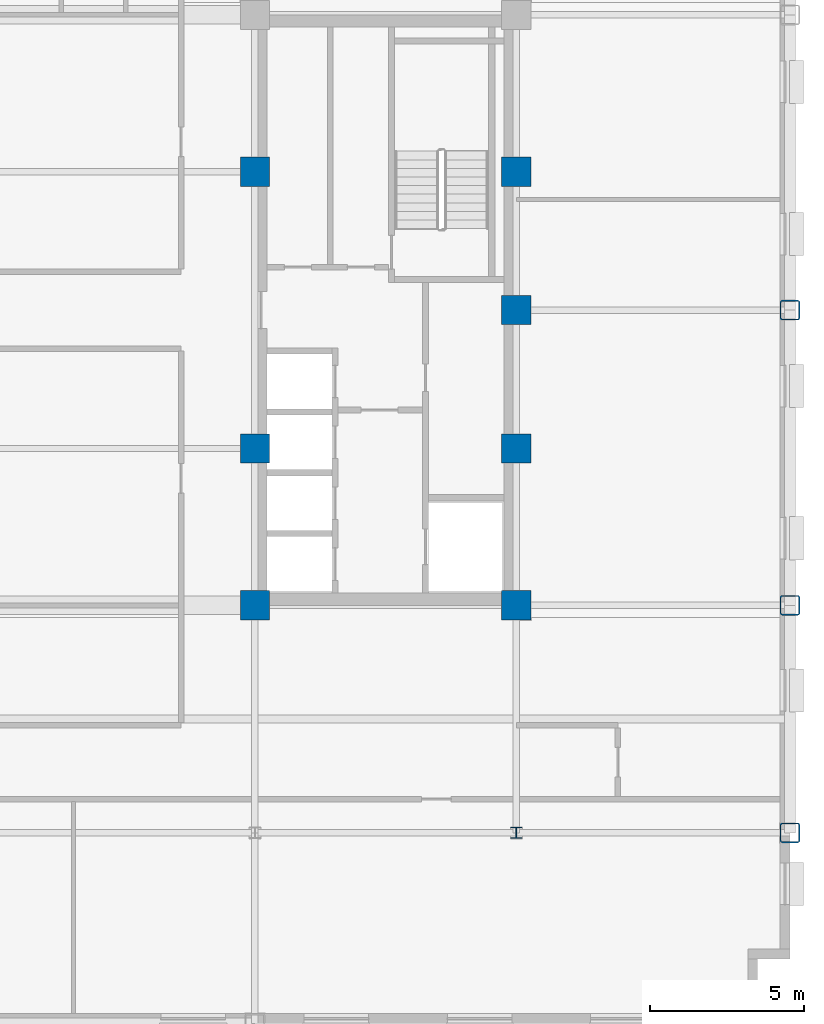
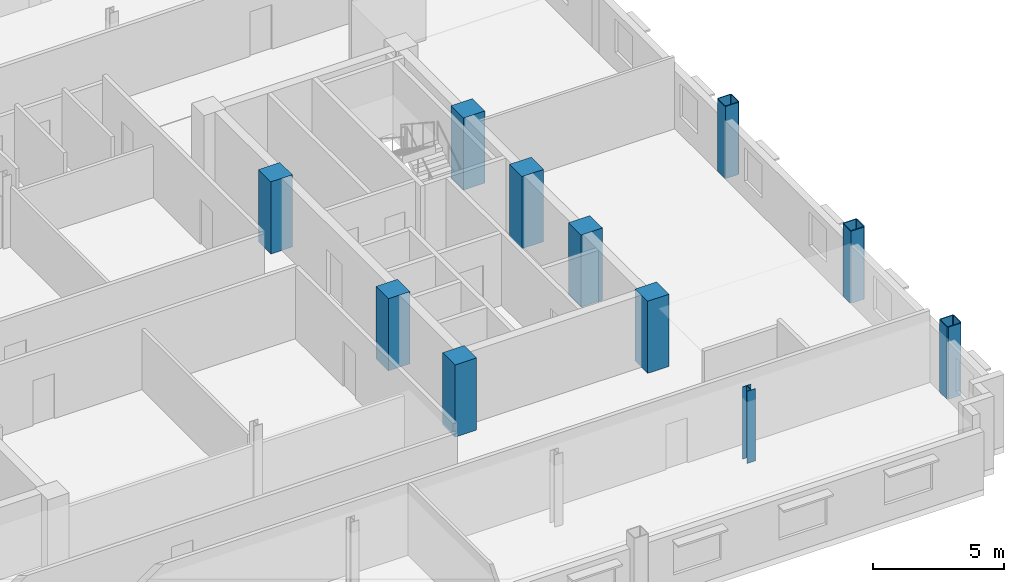
# One storey, part 2 of 14: 11 columns.
"""IFC4 building model written with IfcOpenShell, lengths in metres."""

from ifc_helpers import new_model, si_unit, direction, frame, origin, origin_2d, place, context, subcontext, project, spatial, rectangle, hollow_rectangle, i_section, extrude, material, material_profile, profile_set, type_object, element, save


model = new_model("IFC4")

# Units and contexts
model_context = context("Model", 3, precision=1e-05, world=origin(), true_north=direction((0.0, 1.0)))
body_context = subcontext(model_context, "Body", "Model", "MODEL_VIEW")
ifc_project = project(units=[si_unit("LENGTHUNIT", "METRE"), si_unit("AREAUNIT", "SQUARE_METRE"), si_unit("VOLUMEUNIT", "CUBIC_METRE"), si_unit("PLANEANGLEUNIT", "RADIAN"), si_unit("MASSUNIT", "GRAM", prefix="KILO")], contexts=[model_context])

# Site, building, storey
site_placement = place(None, origin())
site = spatial("IfcSite", under=ifc_project, at=site_placement, CompositionType="ELEMENT")
building_placement = place(site_placement, origin())
building = spatial("IfcBuilding", under=site, at=building_placement, Name="Nuvemarco Arch Tower", CompositionType="ELEMENT")
storey_placement = place(building_placement, frame((0.0, 0.0, 138.449951171875)))
storey = spatial("IfcBuildingStorey", under=building, at=storey_placement, Name="L36", CompositionType="ELEMENT", Elevation=138.449951171875)

# Columns
ifc_material_1 = material(Name="Concrete C50/60", Category="concrete")
ifc_material_profile_1 = material_profile(ifc_material_1, rectangle(XDim=0.949951171875, YDim=0.949951171875, at=origin_2d()), Name="RC-COL-950x950")
ifc_profile_set_1 = profile_set([ifc_material_profile_1], Name="Concrete C50/60")
column_type_1 = type_object("IfcColumnType", Name="COL-CORE-950", PredefinedType="COLUMN", material=ifc_profile_set_1)
for number, where, z_axis, x_axis, name in (
    (1, (9.0, -9.60009765625, 0.0), (0.0, 0.0, 1.0), (1.0, 0.0, 0.0), "L36 column CC_+9.0_-9.6"),
    (2, (9.0, -4.5, 0.0), (0.0, 0.0, 1.0), (1.0, 0.0, 0.0), "L36 column CC_+9.0_-4.5"),
    (3, (9.0, 4.5, 0.0), (0.0, 0.0, 1.0), (1.0, 0.0, 0.0), "L36 column CC_+9.0_+4.5"),
    (4, (17.5, -9.60009765625, 0.0), (0.0, 0.0, 1.0), (1.0, 0.0, 0.0), "L36 column CC_+17.5_-9.6"),
    (5, (17.5, -4.5, 0.0), (0.0, 0.0, 1.0), (1.0, 0.0, 0.0), "L36 column CC_+17.5_-4.5"),
    (6, (17.5, 4.5, 0.0), (0.0, 0.0, 1.0), (1.0, 0.0, 0.0), "L36 column CC_+17.5_+4.5"),
    (7, (17.5, 0.0, 0.0), (0.0, 0.0, 1.0), (1.0, 0.0, 0.0), "L36 column CC_+17.5_+0.0"),
):
    element("IfcColumn", number, at=place(storey_placement, frame(where, z_axis=z_axis, x_axis=x_axis)), inside=storey, type_object=column_type_1, Name=name, PredefinedType="COLUMN", context=body_context, shape_type="SweptSolid", body=[
        extrude(rectangle(XDim=0.949951171875, YDim=0.949951171875, at=origin_2d()), origin(), (0.0, 0.0, 1.0), 3.3701171875),
    ])
ifc_material_2 = material(Name="Steel S355", Category="steel")
ifc_material_profile_2 = material_profile(ifc_material_2, hollow_rectangle(XDim=0.64990234375, YDim=0.64990234375, WallThickness=0.0400390625, InnerFilletRadius=0.0400390625, OuterFilletRadius=0.080078125, at=origin_2d()), Name="SHS650x650x40")
ifc_profile_set_2 = profile_set([ifc_material_profile_2], Name="Steel S355")
column_type_2 = type_object("IfcColumnType", Name="COL-EXO-650", PredefinedType="COLUMN", material=ifc_profile_set_2)
for number, where, z_axis, x_axis, name in (
    (8, (26.39990234375, -17.0, 0.0), (0.0, 0.0, 1.0), (1.0, 0.0, 0.0), "L36 column CX_+26.4_-17.0"),
    (9, (26.39990234375, -9.60009765625, 0.0), (0.0, 0.0, 1.0), (1.0, 0.0, 0.0), "L36 column CX_+26.4_-9.6"),
    (10, (26.39990234375, 0.0, 0.0), (0.0, 0.0, 1.0), (1.0, 0.0, 0.0), "L36 column CX_+26.4_+0.0"),
):
    element("IfcColumn", number, at=place(storey_placement, frame(where, z_axis=z_axis, x_axis=x_axis)), inside=storey, type_object=column_type_2, Name=name, PredefinedType="COLUMN", context=body_context, shape_type="SweptSolid", body=[
        extrude(hollow_rectangle(XDim=0.64990234375, YDim=0.64990234375, WallThickness=0.0400390625, InnerFilletRadius=0.0400390625, OuterFilletRadius=0.080078125, at=origin_2d()), origin(), (0.0, 0.0, 1.0), 3.3701171875),
    ])
ifc_material_profile_3 = material_profile(ifc_material_2, i_section(OverallWidth=0.360107421875, OverallDepth=0.360107421875, WebThickness=0.0205078125, FlangeThickness=0.0205078125, FilletRadius=0.01806640625, at=origin_2d()), Name="HP360x174")
ifc_profile_set_3 = profile_set([ifc_material_profile_3], Name="Steel S355")
column_type_3 = type_object("IfcColumnType", Name="COL-STL-HP360", PredefinedType="COLUMN", material=ifc_profile_set_3)
column_placement = place(storey_placement, frame((17.5, -17.0, 0.0), z_axis=(0.0, 0.0, 1.0), x_axis=(1.0, 0.0, 0.0)))
element("IfcColumn", 11, at=column_placement, inside=storey, type_object=column_type_3, Name="L36 column CI_+17.5_-17.0", PredefinedType="COLUMN", context=body_context, shape_type="SweptSolid", body=[
    extrude(i_section(OverallWidth=0.360107421875, OverallDepth=0.360107421875, WebThickness=0.0205078125, FlangeThickness=0.0205078125, FilletRadius=0.01806640625, at=origin_2d()), origin(), (0.0, 0.0, 1.0), 3.3701171875),
])

save(model, "model.ifc")
